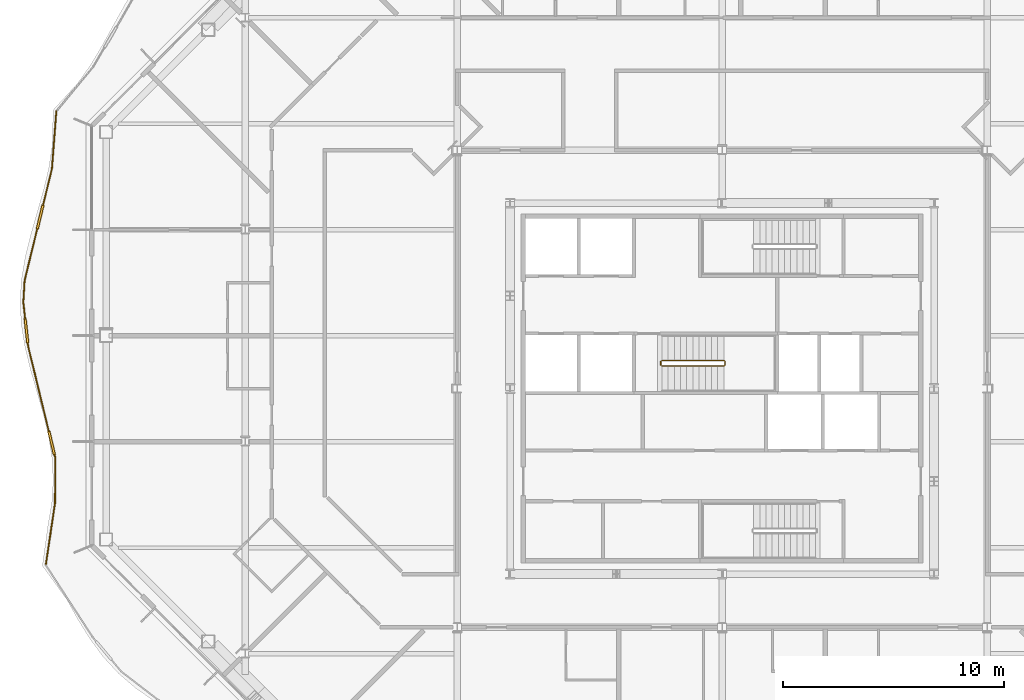
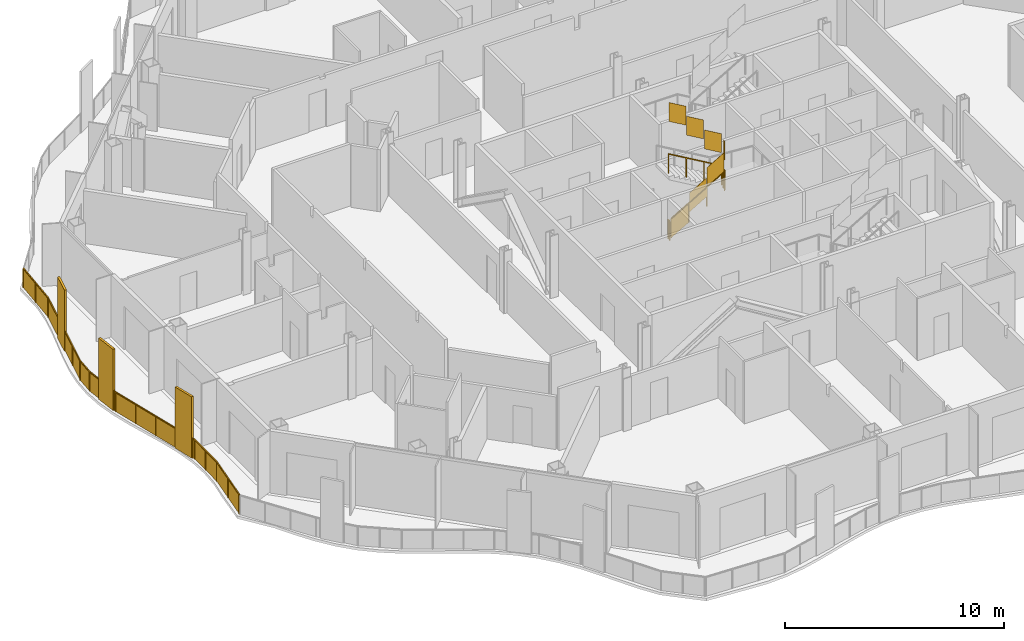
# One storey, part 16 of 20: 3 railings.
"""IFC4 building model written with IfcOpenShell, lengths in metres."""

from ifc_helpers import new_model, si_unit, direction, frame, origin, origin_2d, place, context, subcontext, project, spatial, polyline, rectangle, outline, extrude, material, type_object, element, save


model = new_model("IFC4")

# Units and contexts
model_context = context("Model", 3, precision=1e-05, world=origin(), true_north=direction((0.0, 1.0)))
body_context = subcontext(model_context, "Body", "Model", "MODEL_VIEW")
ifc_project = project(units=[si_unit("LENGTHUNIT", "METRE"), si_unit("AREAUNIT", "SQUARE_METRE"), si_unit("VOLUMEUNIT", "CUBIC_METRE"), si_unit("PLANEANGLEUNIT", "RADIAN"), si_unit("MASSUNIT", "GRAM", prefix="KILO")], contexts=[model_context])

# Site, building, storey
site_placement = place(None, origin())
site = spatial("IfcSite", under=ifc_project, at=site_placement, CompositionType="ELEMENT")
building_placement = place(site_placement, origin())
building = spatial("IfcBuilding", under=site, at=building_placement, Name="Cairn Pilgrim Tower", CompositionType="ELEMENT")
storey_placement = place(building_placement, frame((0.0, 0.0, 165.0)))
storey = spatial("IfcBuildingStorey", under=building, at=storey_placement, Name="L41", CompositionType="ELEMENT", Elevation=165.0)

# Railings
ifc_material_1 = material(Name="Bronze anodised aluminium rail, posts and fin screens with laminated glass infill", Category="aluminium")
railing_type_1 = type_object("IfcRailingType", Name="BALCONY GUARD WITH FIN SCREENS", PredefinedType="GUARDRAIL", material=ifc_material_1)
railing_1_placement = place(storey_placement, frame((-22.954833984375, 14.962646484375, 0.0)))
element("IfcRailing", 1, at=railing_1_placement, inside=storey, type_object=railing_type_1, Name="Balcony guard BGF-7 with fin screens", PredefinedType="GUARDRAIL", context=body_context, shape_type="SweptSolid", body=[
    extrude(rectangle(XDim=0.050048828125, YDim=0.050048828125, at=origin_2d()), frame((0.0, 0.0, 1.0751953125), z_axis=(-0.075996812855, -0.997108060561, 0.0), x_axis=(0.997108060561, -0.075996812855, 0.0)), (0.0, 0.0, 1.0), 2.614990234375),
    extrude(rectangle(XDim=1.10009765625, YDim=0.110107421875, at=origin_2d()), frame((-0.733154296875, -4.790283203125, 0.0), z_axis=(0.0, 0.0, 1.0), x_axis=(-0.237816307136, -0.971310148233, 0.0)), (0.0, 0.0, 1.0), 3.39990234375),
    extrude(rectangle(XDim=0.050048828125, YDim=0.050048828125, at=origin_2d()), frame((-0.19873046875, -2.607421875, 1.0751953125), z_axis=(-0.237816307136, -0.971310148233, 0.0), x_axis=(0.971310148233, -0.237816307136, 0.0)), (0.0, 0.0, 1.0), 1.697265625),
    extrude(rectangle(XDim=0.050048828125, YDim=0.050048828125, at=origin_2d()), frame((-0.864013671875, -5.324462890625, 1.0751953125), z_axis=(-0.237816307136, -0.971310148233, 0.0), x_axis=(0.971310148233, -0.237816307136, 0.0)), (0.0, 0.0, 1.0), 2.4033203125),
    extrude(rectangle(XDim=0.050048828125, YDim=0.050048828125, at=origin_2d()), frame((-1.435546875, -7.658935546875, 1.0751953125), z_axis=(-0.0599120253, -0.998203661196, 0.0), x_axis=(0.998203661196, -0.0599120253, 0.0)), (0.0, 0.0, 1.0), 0.986083984375),
    extrude(rectangle(XDim=1.10009765625, YDim=0.110107421875, at=origin_2d()), frame((-1.353271484375, -9.946044921875, 0.0), z_axis=(0.0, 0.0, 1.0), x_axis=(0.107952211914, -0.994156084296, 0.0)), (0.0, 0.0, 1.0), 3.39990234375),
    extrude(rectangle(XDim=0.050048828125, YDim=0.050048828125, at=origin_2d()), frame((-1.49462890625, -8.643310546875, 1.0751953125), z_axis=(0.107952211914, -0.994156084296, 0.0), x_axis=(0.994156084296, 0.107952211914, 0.0)), (0.0, 0.0, 1.0), 0.76025390625),
    extrude(rectangle(XDim=0.050048828125, YDim=0.050048828125, at=origin_2d()), frame((-1.293701171875, -10.49267578125, 1.0751953125), z_axis=(0.107952211914, -0.994156084296, 0.0), x_axis=(0.994156084296, 0.107952211914, 0.0)), (0.0, 0.0, 1.0), 0.150146484375),
    extrude(rectangle(XDim=1.10009765625, YDim=0.110107421875, at=origin_2d()), frame((-0.2119140625, -15.02294921875, 0.0), z_axis=(0.0, 0.0, 1.0), x_axis=(0.236376696123, -0.971661493284, 0.0)), (0.0, 0.0, 1.0), 3.39990234375),
    extrude(rectangle(XDim=0.050048828125, YDim=0.050048828125, at=origin_2d()), frame((-1.277587890625, -10.64208984375, 1.0751953125), z_axis=(0.236376696123, -0.971661493284, 0.0), x_axis=(0.971661493284, 0.236376696123, 0.0)), (0.0, 0.0, 1.0), 3.95849609375),
    extrude(rectangle(XDim=0.050048828125, YDim=0.050048828125, at=origin_2d()), frame((-0.081787109375, -15.557373046875, 1.0751953125), z_axis=(0.236376696123, -0.971661493284, 0.0), x_axis=(0.971661493284, 0.236376696123, 0.0)), (0.0, 0.0, 1.0), 0.150146484375),
    extrude(rectangle(XDim=0.050048828125, YDim=0.050048828125, at=origin_2d()), frame((-0.04638671875, -15.703125, 1.0751953125), z_axis=(-0.007026145488, -0.999975316335, 0.0), x_axis=(0.999975316335, -0.007026145488, 0.0)), (0.0, 0.0, 1.0), 2.050048828125),
    extrude(rectangle(XDim=0.050048828125, YDim=0.050048828125, at=origin_2d()), frame((-0.060791015625, -17.753173828125, 1.0751953125), z_axis=(-0.147107653991, -0.989120487169, 0.0), x_axis=(0.989120487169, -0.147107653991, 0.0)), (0.0, 0.0, 1.0), 2.769775390625),
    extrude(rectangle(XDim=0.050048828125, YDim=0.050048828125, at=origin_2d()), origin(), (0.0, 0.0, 1.0), 1.050048828125),
    extrude(rectangle(XDim=0.050048828125, YDim=0.050048828125, at=origin_2d()), frame((-0.099365234375, -1.3037109375, 0.0)), (0.0, 0.0, 1.0), 1.050048828125),
    extrude(rectangle(XDim=0.050048828125, YDim=0.050048828125, at=origin_2d()), frame((-0.19873046875, -2.607421875, 0.0)), (0.0, 0.0, 1.0), 1.050048828125),
    extrude(rectangle(XDim=0.050048828125, YDim=0.050048828125, at=origin_2d()), frame((-0.596435546875, -4.231689453125, 0.0)), (0.0, 0.0, 1.0), 1.050048828125),
    extrude(rectangle(XDim=0.050048828125, YDim=0.050048828125, at=origin_2d()), frame((-0.869873046875, -5.348876953125, 0.0)), (0.0, 0.0, 1.0), 1.050048828125),
    extrude(rectangle(XDim=0.050048828125, YDim=0.050048828125, at=origin_2d()), frame((-1.15283203125, -6.50390625, 0.0)), (0.0, 0.0, 1.0), 1.050048828125),
    extrude(rectangle(XDim=0.050048828125, YDim=0.050048828125, at=origin_2d()), frame((-1.435546875, -7.658935546875, 0.0)), (0.0, 0.0, 1.0), 1.050048828125),
    extrude(rectangle(XDim=0.050048828125, YDim=0.050048828125, at=origin_2d()), frame((-1.49462890625, -8.643310546875, 0.0)), (0.0, 0.0, 1.0), 1.050048828125),
    extrude(rectangle(XDim=0.050048828125, YDim=0.050048828125, at=origin_2d()), frame((-1.415283203125, -9.374267578125, 0.0)), (0.0, 0.0, 1.0), 1.050048828125),
    extrude(rectangle(XDim=0.050048828125, YDim=0.050048828125, at=origin_2d()), frame((-1.291015625, -10.517578125, 0.0)), (0.0, 0.0, 1.0), 1.050048828125),
    extrude(rectangle(XDim=0.050048828125, YDim=0.050048828125, at=origin_2d()), frame((-1.277587890625, -10.64208984375, 0.0)), (0.0, 0.0, 1.0), 1.050048828125),
    extrude(rectangle(XDim=0.050048828125, YDim=0.050048828125, at=origin_2d()), frame((-0.9677734375, -11.916015625, 0.0)), (0.0, 0.0, 1.0), 1.050048828125),
    extrude(rectangle(XDim=0.050048828125, YDim=0.050048828125, at=origin_2d()), frame((-0.65771484375, -13.190185546875, 0.0)), (0.0, 0.0, 1.0), 1.050048828125),
    extrude(rectangle(XDim=0.050048828125, YDim=0.050048828125, at=origin_2d()), frame((-0.347900390625, -14.464111328125, 0.0)), (0.0, 0.0, 1.0), 1.050048828125),
    extrude(rectangle(XDim=0.050048828125, YDim=0.050048828125, at=origin_2d()), frame((-0.075927734375, -15.58154296875, 0.0)), (0.0, 0.0, 1.0), 1.050048828125),
    extrude(rectangle(XDim=0.050048828125, YDim=0.050048828125, at=origin_2d()), frame((-0.04638671875, -15.703125, 0.0)), (0.0, 0.0, 1.0), 1.050048828125),
    extrude(rectangle(XDim=0.050048828125, YDim=0.050048828125, at=origin_2d()), frame((-0.0537109375, -16.72802734375, 0.0)), (0.0, 0.0, 1.0), 1.050048828125),
    extrude(rectangle(XDim=0.050048828125, YDim=0.050048828125, at=origin_2d()), frame((-0.060791015625, -17.753173828125, 0.0)), (0.0, 0.0, 1.0), 1.050048828125),
    extrude(rectangle(XDim=0.050048828125, YDim=0.050048828125, at=origin_2d()), frame((-0.2646484375, -19.123046875, 0.0)), (0.0, 0.0, 1.0), 1.050048828125),
    extrude(rectangle(XDim=0.050048828125, YDim=0.050048828125, at=origin_2d()), frame((-0.46826171875, -20.492919921875, 0.0)), (0.0, 0.0, 1.0), 1.050048828125),
    extrude(outline(polyline([(0.02490234375, 0.0), (1.282470703125, 0.0), (1.282470703125, 1.050048828125), (0.02490234375, 1.050048828125), (0.02490234375, 0.0)])), frame((0.005859375, -0.00048828125, 0.0), z_axis=(-0.997108060561, 0.075996812855, 0.0), x_axis=(-0.075996812855, -0.997108060561, 0.0)), (0.0, 0.0, 1.0), 0.011962890625),
    extrude(outline(polyline([(0.02490234375, 0.0), (1.282470703125, 0.0), (1.282470703125, 1.050048828125), (0.02490234375, 1.050048828125), (0.02490234375, 0.0)])), frame((-0.093505859375, -1.30419921875, 0.0), z_axis=(-0.997108060561, 0.075996812855, 0.0), x_axis=(-0.075996812855, -0.997108060561, 0.0)), (0.0, 0.0, 1.0), 0.011962890625),
    extrude(outline(polyline([(0.02490234375, 0.0), (1.647216796875, 0.0), (1.647216796875, 1.050048828125), (0.02490234375, 1.050048828125), (0.02490234375, 0.0)])), frame((-0.19287109375, -2.60888671875, 0.0), z_axis=(-0.971310148233, 0.237816307136, 0.0), x_axis=(-0.237816307136, -0.971310148233, 0.0)), (0.0, 0.0, 1.0), 0.011962890625),
    extrude(outline(polyline([(0.02490234375, 0.0), (1.1640625, 0.0), (1.1640625, 1.050048828125), (0.02490234375, 1.050048828125), (0.02490234375, 0.0)])), frame((-0.864013671875, -5.35009765625, 0.0), z_axis=(-0.971310148233, 0.237816307136, 0.0), x_axis=(-0.237816307136, -0.971310148233, 0.0)), (0.0, 0.0, 1.0), 0.011962890625),
    extrude(outline(polyline([(0.02490234375, 0.0), (1.1640625, 0.0), (1.1640625, 1.050048828125), (0.02490234375, 1.050048828125), (0.02490234375, 0.0)])), frame((-1.14697265625, -6.50537109375, 0.0), z_axis=(-0.971310148233, 0.237816307136, 0.0), x_axis=(-0.237816307136, -0.971310148233, 0.0)), (0.0, 0.0, 1.0), 0.011962890625),
    extrude(outline(polyline([(0.02490234375, 0.0), (0.961181640625, 0.0), (0.961181640625, 1.050048828125), (0.02490234375, 1.050048828125), (0.02490234375, 0.0)])), frame((-1.4296875, -7.6591796875, 0.0), z_axis=(-0.998203661196, 0.0599120253, 0.0), x_axis=(-0.0599120253, -0.998203661196, 0.0)), (0.0, 0.0, 1.0), 0.011962890625),
    extrude(outline(polyline([(0.02490234375, 0.0), (0.710205078125, 0.0), (0.710205078125, 1.050048828125), (0.02490234375, 1.050048828125), (0.02490234375, 0.0)])), frame((-1.48876953125, -8.642578125, 0.0), z_axis=(-0.994156084296, -0.107952211914, 0.0), x_axis=(0.107952211914, -0.994156084296, 0.0)), (0.0, 0.0, 1.0), 0.011962890625),
    extrude(outline(polyline([(0.02490234375, 0.0), (0.10009765625, 0.0), (0.10009765625, 1.050048828125), (0.02490234375, 1.050048828125), (0.02490234375, 0.0)])), frame((-1.28515625, -10.51708984375, 0.0), z_axis=(-0.994156084296, -0.107952211914, 0.0), x_axis=(0.107952211914, -0.994156084296, 0.0)), (0.0, 0.0, 1.0), 0.011962890625),
    extrude(outline(polyline([(0.02490234375, 0.0), (1.2861328125, 0.0), (1.2861328125, 1.050048828125), (0.02490234375, 1.050048828125), (0.02490234375, 0.0)])), frame((-1.271728515625, -10.640625, 0.0), z_axis=(-0.971661493284, -0.236376696123, 0.0), x_axis=(0.236376696123, -0.971661493284, 0.0)), (0.0, 0.0, 1.0), 0.011962890625),
    extrude(outline(polyline([(0.02490234375, 0.0), (1.2861328125, 0.0), (1.2861328125, 1.050048828125), (0.02490234375, 1.050048828125), (0.02490234375, 0.0)])), frame((-0.9619140625, -11.914794921875, 0.0), z_axis=(-0.971661493284, -0.236376696123, 0.0), x_axis=(0.236376696123, -0.971661493284, 0.0)), (0.0, 0.0, 1.0), 0.011962890625),
    extrude(outline(polyline([(0.02490234375, 0.0), (1.2861328125, 0.0), (1.2861328125, 1.050048828125), (0.02490234375, 1.050048828125), (0.02490234375, 0.0)])), frame((-0.65185546875, -13.188720703125, 0.0), z_axis=(-0.971661493284, -0.236376696123, 0.0), x_axis=(0.236376696123, -0.971661493284, 0.0)), (0.0, 0.0, 1.0), 0.011962890625),
    extrude(outline(polyline([(0.02490234375, 0.0), (0.10009765625, 0.0), (0.10009765625, 1.050048828125), (0.02490234375, 1.050048828125), (0.02490234375, 0.0)])), frame((-0.070068359375, -15.580078125, 0.0), z_axis=(-0.971661493284, -0.236376696123, 0.0), x_axis=(0.236376696123, -0.971661493284, 0.0)), (0.0, 0.0, 1.0), 0.011962890625),
    extrude(outline(polyline([(0.02490234375, 0.0), (1.0, 0.0), (1.0, 1.050048828125), (0.02490234375, 1.050048828125), (0.02490234375, 0.0)])), frame((-0.04052734375, -15.703125, 0.0), z_axis=(-0.999975316335, 0.007026145488, 0.0), x_axis=(-0.007026145488, -0.999975316335, 0.0)), (0.0, 0.0, 1.0), 0.011962890625),
    extrude(outline(polyline([(0.02490234375, 0.0), (1.0, 0.0), (1.0, 1.050048828125), (0.02490234375, 1.050048828125), (0.02490234375, 0.0)])), frame((-0.047607421875, -16.728271484375, 0.0), z_axis=(-0.999975316335, 0.007026145488, 0.0), x_axis=(-0.007026145488, -0.999975316335, 0.0)), (0.0, 0.0, 1.0), 0.011962890625),
    extrude(outline(polyline([(0.02490234375, 0.0), (1.35986328125, 0.0), (1.35986328125, 1.050048828125), (0.02490234375, 1.050048828125), (0.02490234375, 0.0)])), frame((-0.054931640625, -17.754150390625, 0.0), z_axis=(-0.989120487169, 0.147107653991, 0.0), x_axis=(-0.147107653991, -0.989120487169, 0.0)), (0.0, 0.0, 1.0), 0.011962890625),
    extrude(outline(polyline([(0.02490234375, 0.0), (1.35986328125, 0.0), (1.35986328125, 1.050048828125), (0.02490234375, 1.050048828125), (0.02490234375, 0.0)])), frame((-0.258544921875, -19.1240234375, 0.0), z_axis=(-0.989120487169, 0.147107653991, 0.0), x_axis=(-0.147107653991, -0.989120487169, 0.0)), (0.0, 0.0, 1.0), 0.011962890625),
])
ifc_material_2 = material(Name="Painted steel", Category="steel")
railing_type_2 = type_object("IfcRailingType", Name="STAIR GUARD 1100", PredefinedType="GUARDRAIL", material=ifc_material_2)
railing_2_placement = place(storey_placement, frame((4.47509765625, 3.425048828125, 0.16357421875)))
element("IfcRailing", 2, at=railing_2_placement, inside=storey, type_object=railing_type_2, Name="L41 ST-B stair guard 1", PredefinedType="GUARDRAIL", context=body_context, shape_type="SweptSolid", body=[
    extrude(rectangle(XDim=0.048095703125, YDim=0.048095703125, at=origin_2d()), frame((0.0, 0.0, 1.076171875), z_axis=(0.863341702679, 0.0, 0.504619762213), x_axis=(0.0, 1.0, 0.0)), (0.0, 0.0, 1.0), 3.242919921875),
    extrude(rectangle(XDim=0.048095703125, YDim=0.048095703125, at=origin_2d()), frame((2.7998046875, 0.0, 2.71240234375), z_axis=(0.707106781187, 0.707106781187, 0.0), x_axis=(-0.707106781187, 0.707106781187, 0.0)), (0.0, 0.0, 1.0), 0.07080078125),
    extrude(rectangle(XDim=0.048095703125, YDim=0.048095703125, at=origin_2d()), frame((2.849853515625, 0.050048828125, 2.71240234375), z_axis=(0.0, 1.0, 0.0), x_axis=(-1.0, 0.0, 0.0)), (0.0, 0.0, 1.0), 0.14990234375),
    extrude(rectangle(XDim=0.048095703125, YDim=0.048095703125, at=origin_2d()), frame((2.849853515625, 0.199951171875, 2.71240234375), z_axis=(-0.280808744504, 0.280808744504, 0.917765164963), x_axis=(-0.707106781187, -0.707106781187, 0.0)), (0.0, 0.0, 1.0), 0.17822265625),
    extrude(rectangle(XDim=0.048095703125, YDim=0.048095703125, at=origin_2d()), frame((2.7998046875, 0.25, 2.8759765625), z_axis=(-0.863341702679, 0.0, 0.504619762213), x_axis=(0.0, -1.0, 0.0)), (0.0, 0.0, 1.0), 3.242919921875),
    extrude(rectangle(XDim=0.0419921875, YDim=0.0419921875, at=origin_2d()), origin(), (0.0, 0.0, 1.0), 1.052001953125),
    extrude(rectangle(XDim=0.0419921875, YDim=0.0419921875, at=origin_2d()), frame((0.933349609375, 0.0, 0.54541015625)), (0.0, 0.0, 1.0), 1.052001953125),
    extrude(rectangle(XDim=0.0419921875, YDim=0.0419921875, at=origin_2d()), frame((1.866455078125, 0.0, 1.091064453125)), (0.0, 0.0, 1.0), 1.052001953125),
    extrude(rectangle(XDim=0.0419921875, YDim=0.0419921875, at=origin_2d()), frame((2.7998046875, 0.0, 1.636474609375)), (0.0, 0.0, 1.0), 1.052001953125),
    extrude(rectangle(XDim=0.0419921875, YDim=0.0419921875, at=origin_2d()), frame((2.849853515625, 0.050048828125, 1.636474609375)), (0.0, 0.0, 1.0), 1.052001953125),
    extrude(rectangle(XDim=0.0419921875, YDim=0.0419921875, at=origin_2d()), frame((2.849853515625, 0.199951171875, 1.636474609375)), (0.0, 0.0, 1.0), 1.052001953125),
    extrude(rectangle(XDim=0.0419921875, YDim=0.0419921875, at=origin_2d()), frame((2.7998046875, 0.25, 1.800048828125)), (0.0, 0.0, 1.0), 1.052001953125),
    extrude(rectangle(XDim=0.0419921875, YDim=0.0419921875, at=origin_2d()), frame((1.866455078125, 0.25, 2.345458984375)), (0.0, 0.0, 1.0), 1.052001953125),
    extrude(rectangle(XDim=0.0419921875, YDim=0.0419921875, at=origin_2d()), frame((0.933349609375, 0.25, 2.89111328125)), (0.0, 0.0, 1.0), 1.052001953125),
    extrude(rectangle(XDim=0.0419921875, YDim=0.0419921875, at=origin_2d()), frame((0.0, 0.25, 3.4365234375)), (0.0, 0.0, 1.0), 1.052001953125),
    extrude(outline(polyline([(0.02099609375, 0.01220703125), (0.912353515625, 0.533203125), (0.912353515625, 1.585205078125), (0.02099609375, 1.064208984375), (0.02099609375, 0.01220703125)])), frame((0.0, 0.005859375, 0.0), z_axis=(0.0, -1.0, 0.0), x_axis=(1.0, 0.0, 0.0)), (0.0, 0.0, 1.0), 0.011962890625),
    extrude(outline(polyline([(0.02099609375, 0.557861328125), (0.912353515625, 1.07861328125), (0.912353515625, 2.130615234375), (0.02099609375, 1.60986328125), (0.02099609375, 0.557861328125)])), frame((0.933349609375, 0.005859375, 0.54541015625), z_axis=(0.0, -1.0, 0.0), x_axis=(1.0, 0.0, 0.0)), (0.0, 0.0, 1.0), 0.011962890625),
    extrude(outline(polyline([(0.02099609375, 1.103271484375), (0.912353515625, 1.624267578125), (0.912353515625, 2.67626953125), (0.02099609375, 2.1552734375), (0.02099609375, 1.103271484375)])), frame((1.866455078125, 0.005859375, 1.091064453125), z_axis=(0.0, -1.0, 0.0), x_axis=(1.0, 0.0, 0.0)), (0.0, 0.0, 1.0), 0.011962890625),
    extrude(outline(polyline([(0.02099609375, 1.636474609375), (0.12890625, 1.636474609375), (0.12890625, 2.6884765625), (0.02099609375, 2.6884765625), (0.02099609375, 1.636474609375)])), frame((2.84375, 0.050048828125, 1.636474609375), z_axis=(1.0, 0.0, 0.0), x_axis=(0.0, 1.0, 0.0)), (0.0, 0.0, 1.0), 0.011962890625),
    extrude(outline(polyline([(0.02099609375, 1.812255859375), (0.912353515625, 2.333251953125), (0.912353515625, 3.38525390625), (0.02099609375, 2.8642578125), (0.02099609375, 1.812255859375)])), frame((2.7998046875, 0.244140625, 1.800048828125), z_axis=(0.0, 1.0, 0.0), x_axis=(-1.0, 0.0, 0.0)), (0.0, 0.0, 1.0), 0.011962890625),
    extrude(outline(polyline([(0.02099609375, 2.35791015625), (0.912353515625, 2.878662109375), (0.912353515625, 3.9306640625), (0.02099609375, 3.409912109375), (0.02099609375, 2.35791015625)])), frame((1.866455078125, 0.244140625, 2.345458984375), z_axis=(0.0, 1.0, 0.0), x_axis=(-1.0, 0.0, 0.0)), (0.0, 0.0, 1.0), 0.011962890625),
    extrude(outline(polyline([(0.02099609375, 2.9033203125), (0.912353515625, 3.42431640625), (0.912353515625, 4.476318359375), (0.02099609375, 3.955322265625), (0.02099609375, 2.9033203125)])), frame((0.933349609375, 0.244140625, 2.89111328125), z_axis=(0.0, 1.0, 0.0), x_axis=(-1.0, 0.0, 0.0)), (0.0, 0.0, 1.0), 0.011962890625),
])
railing_3_placement = place(storey_placement, frame((4.425048828125, 3.47509765625, 0.0)))
element("IfcRailing", 3, at=railing_3_placement, inside=storey, type_object=railing_type_2, Name="L41 ST-B stair guard 2", PredefinedType="GUARDRAIL", context=body_context, shape_type="SweptSolid", body=[
    extrude(rectangle(XDim=0.048095703125, YDim=0.048095703125, at=origin_2d()), frame((0.0, 0.0, 1.076171875), z_axis=(0.0, 1.0, 0.0), x_axis=(-1.0, 0.0, 0.0)), (0.0, 0.0, 1.0), 0.14990234375),
    extrude(rectangle(XDim=0.0419921875, YDim=0.0419921875, at=origin_2d()), origin(), (0.0, 0.0, 1.0), 1.052001953125),
    extrude(rectangle(XDim=0.0419921875, YDim=0.0419921875, at=origin_2d()), frame((0.0, 0.14990234375, 0.0)), (0.0, 0.0, 1.0), 1.052001953125),
    extrude(outline(polyline([(0.02099609375, 0.0), (0.12890625, 0.0), (0.12890625, 1.052001953125), (0.02099609375, 1.052001953125), (0.02099609375, 0.0)])), frame((-0.005859375, 0.0, 0.0), z_axis=(1.0, 0.0, 0.0), x_axis=(0.0, 1.0, 0.0)), (0.0, 0.0, 1.0), 0.011962890625),
])

save(model, "model.ifc")
